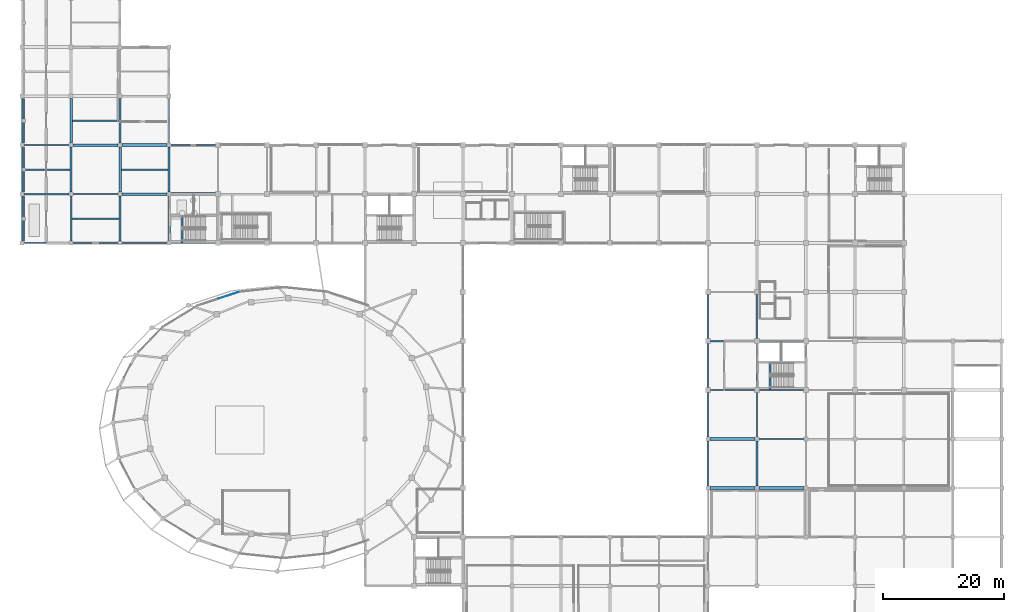
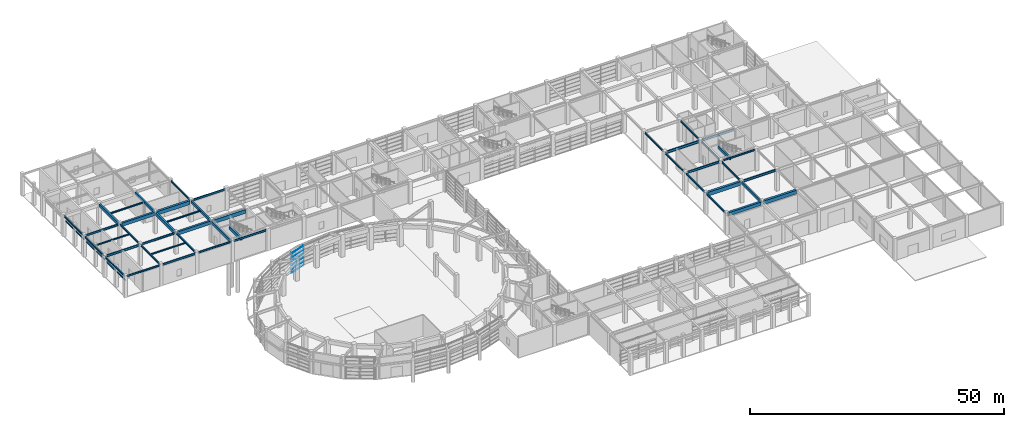
# One storey, part 16 of 52: 52 beams, 6 members, 1 element without a shape of its own.
"""IFC4 building model written with IfcOpenShell, lengths in metres."""

from ifc_helpers import new_model, si_unit, direction, frame, origin, origin_2d, place, context, subcontext, project, spatial, rectangle, i_section, extrude, material, material_profile, profile_set, type_object, element, aggregate, save


model = new_model("IFC4")

# Units and contexts
model_context = context("Model", 3, precision=1e-05, world=origin(), true_north=direction((0.0, 1.0)))
body_context = subcontext(model_context, "Body", "Model", "MODEL_VIEW")
ifc_project = project(units=[si_unit("LENGTHUNIT", "METRE"), si_unit("AREAUNIT", "SQUARE_METRE"), si_unit("VOLUMEUNIT", "CUBIC_METRE"), si_unit("PLANEANGLEUNIT", "RADIAN"), si_unit("MASSUNIT", "GRAM", prefix="KILO")], contexts=[model_context])

# Site, building, storey
site_placement = place(None, origin())
site = spatial("IfcSite", under=ifc_project, at=site_placement, CompositionType="ELEMENT")
building_placement = place(site_placement, origin())
building = spatial("IfcBuilding", under=site, at=building_placement, Name="Parian Resonance Hall", CompositionType="ELEMENT")
storey_placement = place(building_placement, origin())
storey = spatial("IfcBuildingStorey", under=building, at=storey_placement, Name="L00", CompositionType="ELEMENT", Elevation=0.0)

# Beams
ifc_material_1 = material(Name="Concrete C40/50", Category="concrete")
ifc_material_profile_1 = material_profile(ifc_material_1, rectangle(XDim=0.35009765625, YDim=0.60009765625, at=origin_2d()), Name="RC-BM-350x600")
ifc_profile_set_1 = profile_set([ifc_material_profile_1], Name="Concrete C40/50")
beam_type_1 = type_object("IfcBeamType", Name="BM-RC350x600", PredefinedType="BEAM", material=ifc_profile_set_1)
beam_1_placement = place(storey_placement, frame((16.199951171875, 89.449951171875, 4.800048828125), z_axis=(0.0, 1.0, 0.0), x_axis=(-1.0, 0.0, 0.0)))
element("IfcBeam", 1, at=beam_1_placement, inside=storey, type_object=beam_type_1, Name="GY-L00-0409", PredefinedType="BEAM", context=body_context, shape_type="SweptSolid", body=[
    extrude(rectangle(XDim=0.35009765625, YDim=0.60009765625, at=origin_2d()), origin(), (0.0, 0.0, 1.0), 7.400146484375),
])
for number, where, z_axis, x_axis, name in (
    (2, (24.300048828125, 81.35009765625, 4.800048828125), (0.0, 1.0, 0.0), (-1.0, 0.0, 0.0), "GY-L00-0413"),
    (3, (121.5, 32.75, 4.830078125), (0.0, 1.0, 0.0), (-1.0, 0.0, 0.0), "GY-L00-0466"),
):
    element("IfcBeam", number, at=place(storey_placement, frame(where, z_axis=z_axis, x_axis=x_axis)), inside=storey, type_object=beam_type_1, Name=name, PredefinedType="BEAM", context=body_context, shape_type="SweptSolid", body=[
        extrude(rectangle(XDim=0.35009765625, YDim=0.60009765625, at=origin_2d()), origin(), (0.0, 0.0, 1.0), 7.39990234375),
    ])
ifc_material_2 = material(Name="Concrete C40/50", Category="concrete")
ifc_material_profile_2 = material_profile(ifc_material_2, rectangle(XDim=0.39990234375, YDim=0.699951171875, at=origin_2d()), Name="RC-BM-400x700")
ifc_profile_set_2 = profile_set([ifc_material_profile_2], Name="Concrete C40/50")
beam_type_2 = type_object("IfcBeamType", Name="BM-RC400x700", PredefinedType="BEAM", material=ifc_profile_set_2)
beam_2_placement = place(storey_placement, frame((8.10009765625, 89.449951171875, 4.75), z_axis=(0.0, 1.0, 0.0), x_axis=(-1.0, 0.0, 0.0)))
element("IfcBeam", 4, at=beam_2_placement, inside=storey, type_object=beam_type_2, Name="GY-L00-0404", PredefinedType="BEAM", context=body_context, shape_type="SweptSolid", body=[
    extrude(rectangle(XDim=0.39990234375, YDim=0.699951171875, at=origin_2d()), origin(), (0.0, 0.0, 1.0), 7.400146484375),
])
for number, where, z_axis, x_axis, name in (
    (5, (16.199951171875, 81.35009765625, 4.75), (0.0, 1.0, 0.0), (-1.0, 0.0, 0.0), "GY-L00-0408"),
    (6, (24.300048828125, 73.25, 4.75), (0.0, 1.0, 0.0), (-1.0, 0.0, 0.0), "GY-L00-0412"),
):
    element("IfcBeam", number, at=place(storey_placement, frame(where, z_axis=z_axis, x_axis=x_axis)), inside=storey, type_object=beam_type_2, Name=name, PredefinedType="BEAM", context=body_context, shape_type="SweptSolid", body=[
        extrude(rectangle(XDim=0.39990234375, YDim=0.699951171875, at=origin_2d()), origin(), (0.0, 0.0, 1.0), 7.39990234375),
    ])
beam_3_placement = place(storey_placement, frame((123.659912109375, 48.60009765625, 4.780029296875), z_axis=(0.0, 1.0, 0.0), x_axis=(-1.0, 0.0, 0.0)))
element("IfcBeam", 7, at=beam_3_placement, inside=storey, type_object=beam_type_2, Name="Core K2 stair arrival trimmer beam L00", PredefinedType="BEAM", context=body_context, shape_type="SweptSolid", body=[
    extrude(rectangle(XDim=0.39990234375, YDim=0.699951171875, at=origin_2d()), origin(), (0.0, 0.0, 1.0), 4.64990234375),
])
beam_4_placement = place(storey_placement, frame((26.43994140625, 72.89990234375, 4.75), z_axis=(0.0, 1.0, 0.0), x_axis=(-1.0, 0.0, 0.0)))
element("IfcBeam", 8, at=beam_4_placement, inside=storey, type_object=beam_type_2, Name="Core K4 stair arrival trimmer beam L00", PredefinedType="BEAM", context=body_context, shape_type="SweptSolid", body=[
    extrude(rectangle(XDim=0.39990234375, YDim=0.699951171875, at=origin_2d()), origin(), (0.0, 0.0, 1.0), 4.610107421875),
])
ifc_material_3 = material(Name="Concrete C40/50", Category="concrete")
ifc_material_profile_3 = material_profile(ifc_material_3, rectangle(XDim=0.449951171875, YDim=0.800048828125, at=origin_2d()), Name="RC-BM-450x800")
ifc_profile_set_3 = profile_set([ifc_material_profile_3], Name="Concrete C40/50")
beam_type_3 = type_object("IfcBeamType", Name="BM-RC450x800", PredefinedType="USERDEFINED", material=ifc_profile_set_3)
beam_5_placement = place(storey_placement, frame((8.449951171875, 89.10009765625, 4.699951171875), z_axis=(1.0, 0.0, 0.0), x_axis=(0.0, 1.0, 0.0)))
element("IfcBeam", 9, at=beam_5_placement, inside=storey, type_object=beam_type_3, Name="GX-L00-0280", ObjectType="GIRDER", PredefinedType="USERDEFINED", context=body_context, shape_type="SweptSolid", body=[
    extrude(rectangle(XDim=0.449951171875, YDim=0.800048828125, at=origin_2d()), origin(), (0.0, 0.0, 1.0), 7.400146484375),
])
for number, where, z_axis, x_axis, name in (
    (10, (16.550048828125, 81.0, 4.699951171875), (1.0, 0.0, 0.0), (0.0, 1.0, 0.0), "GX-L00-0285"),
    (11, (113.75, 32.39990234375, 4.72998046875), (1.0, 0.0, 0.0), (0.0, 1.0, 0.0), "GX-L00-0346"),
):
    element("IfcBeam", number, at=place(storey_placement, frame(where, z_axis=z_axis, x_axis=x_axis)), inside=storey, type_object=beam_type_3, Name=name, ObjectType="GIRDER", PredefinedType="USERDEFINED", context=body_context, shape_type="SweptSolid", body=[
        extrude(rectangle(XDim=0.449951171875, YDim=0.800048828125, at=origin_2d()), origin(), (0.0, 0.0, 1.0), 7.39990234375),
    ])
ifc_material_4 = material(Name="Concrete C40/50", Category="concrete")
ifc_material_profile_4 = material_profile(ifc_material_4, rectangle(XDim=0.5, YDim=0.89990234375, at=origin_2d()), Name="RC-BM-500x900")
ifc_profile_set_4 = profile_set([ifc_material_profile_4], Name="Concrete C40/50")
beam_type_4 = type_object("IfcBeamType", Name="BM-RC500x900", PredefinedType="USERDEFINED", material=ifc_profile_set_4)
beam_6_placement = place(storey_placement, frame((16.550048828125, 89.10009765625, 4.64990234375), z_axis=(1.0, 0.0, 0.0), x_axis=(0.0, 1.0, 0.0)))
element("IfcBeam", 12, at=beam_6_placement, inside=storey, type_object=beam_type_4, Name="GX-L00-0286", ObjectType="GIRDER", PredefinedType="USERDEFINED", context=body_context, shape_type="SweptSolid", body=[
    extrude(rectangle(XDim=0.5, YDim=0.89990234375, at=origin_2d()), origin(), (0.0, 0.0, 1.0), 7.39990234375),
])
beam_7_placement = place(storey_placement, frame((24.64990234375, 81.0, 4.64990234375), z_axis=(1.0, 0.0, 0.0), x_axis=(0.0, 1.0, 0.0)))
element("IfcBeam", 13, at=beam_7_placement, inside=storey, type_object=beam_type_4, Name="GX-L00-0290", ObjectType="GIRDER", PredefinedType="USERDEFINED", context=body_context, shape_type="SweptSolid", body=[
    extrude(rectangle(XDim=0.5, YDim=0.89990234375, at=origin_2d()), origin(), (0.0, 0.0, 1.0), 7.35009765625),
])
for number, where, z_axis, x_axis, name in (
    (14, (113.75, 40.5, 4.679931640625), (1.0, 0.0, 0.0), (0.0, 1.0, 0.0), "GX-L00-0347"),
    (15, (121.85009765625, 32.39990234375, 4.719970703125), (1.0, 0.0, 0.0), (0.0, 1.0, 0.0), "GX-L00-0355"),
):
    element("IfcBeam", number, at=place(storey_placement, frame(where, z_axis=z_axis, x_axis=x_axis)), inside=storey, type_object=beam_type_4, Name=name, ObjectType="GIRDER", PredefinedType="USERDEFINED", context=body_context, shape_type="SweptSolid", body=[
        extrude(rectangle(XDim=0.5, YDim=0.89990234375, at=origin_2d()), origin(), (0.0, 0.0, 1.0), 7.39990234375),
    ])
ifc_material_5 = material(Name="Steel S355", Category="steel")
ifc_material_profile_5 = material_profile(ifc_material_5, i_section(OverallWidth=0.202880859375, OverallDepth=0.202880859375, WebThickness=0.007080078125, FlangeThickness=0.010986328125, FilletRadius=0.01025390625, at=origin_2d()), Name="W200x46")
ifc_profile_set_5 = profile_set([ifc_material_profile_5], Name="Steel S355")
beam_type_5 = type_object("IfcBeamType", Name="BM-W200x46", PredefinedType="LINTEL", material=ifc_profile_set_5)
for number, where, z_axis, x_axis, name in (
    (16, (0.300048828125, 73.25, 3.698486328125), (0.0, 1.0, 0.0), (-1.0, 0.0, 0.0), "LN-W-09A"),
    (17, (0.300048828125, 81.35009765625, 3.698486328125), (0.0, 1.0, 0.0), (-1.0, 0.0, 0.0), "LN-W-10A"),
):
    element("IfcBeam", number, at=place(storey_placement, frame(where, z_axis=z_axis, x_axis=x_axis)), inside=storey, type_object=beam_type_5, Name=name, PredefinedType="LINTEL", context=body_context, shape_type="SweptSolid", body=[
        extrude(i_section(OverallWidth=0.202880859375, OverallDepth=0.202880859375, WebThickness=0.007080078125, FlangeThickness=0.010986328125, FilletRadius=0.01025390625, at=origin_2d()), origin(), (0.0, 0.0, 1.0), 3.39990234375),
    ])
beam_8_placement = place(storey_placement, frame((0.300048828125, 89.449951171875, 3.698486328125), z_axis=(0.0, 1.0, 0.0), x_axis=(-1.0, 0.0, 0.0)))
element("IfcBeam", 18, at=beam_8_placement, inside=storey, type_object=beam_type_5, Name="LN-W-11A", PredefinedType="LINTEL", context=body_context, shape_type="SweptSolid", body=[
    extrude(i_section(OverallWidth=0.202880859375, OverallDepth=0.202880859375, WebThickness=0.007080078125, FlangeThickness=0.010986328125, FilletRadius=0.01025390625, at=origin_2d()), origin(), (0.0, 0.0, 1.0), 3.400146484375),
])
ifc_material_6 = material(Name="Steel S355", Category="steel")
ifc_material_profile_6 = material_profile(ifc_material_6, i_section(OverallWidth=0.202880859375, OverallDepth=0.251953125, WebThickness=0.008056640625, FlangeThickness=0.013427734375, FilletRadius=0.0126953125, at=origin_2d()), Name="W250x58")
ifc_profile_set_6 = profile_set([ifc_material_profile_6], Name="Steel S355")
beam_type_6 = type_object("IfcBeamType", Name="BM-W250x58", PredefinedType="LINTEL", material=ifc_profile_set_6)
for number, where, z_axis, x_axis, name in (
    (19, (0.300048828125, 77.25, 3.674072265625), (0.0, 1.0, 0.0), (-1.0, 0.0, 0.0), "LN-W-09B"),
    (20, (0.300048828125, 85.35009765625, 3.674072265625), (0.0, 1.0, 0.0), (-1.0, 0.0, 0.0), "LN-W-10B"),
):
    element("IfcBeam", number, at=place(storey_placement, frame(where, z_axis=z_axis, x_axis=x_axis)), inside=storey, type_object=beam_type_6, Name=name, PredefinedType="LINTEL", context=body_context, shape_type="SweptSolid", body=[
        extrude(i_section(OverallWidth=0.202880859375, OverallDepth=0.251953125, WebThickness=0.008056640625, FlangeThickness=0.013427734375, FilletRadius=0.0126953125, at=origin_2d()), origin(), (0.0, 0.0, 1.0), 3.39990234375),
    ])
beam_9_placement = place(storey_placement, frame((0.300048828125, 93.449951171875, 3.674072265625), z_axis=(0.0, 1.0, 0.0), x_axis=(-1.0, 0.0, 0.0)))
element("IfcBeam", 21, at=beam_9_placement, inside=storey, type_object=beam_type_6, Name="LN-W-11B", PredefinedType="LINTEL", context=body_context, shape_type="SweptSolid", body=[
    extrude(i_section(OverallWidth=0.202880859375, OverallDepth=0.251953125, WebThickness=0.008056640625, FlangeThickness=0.013427734375, FilletRadius=0.0126953125, at=origin_2d()), origin(), (0.0, 0.0, 1.0), 3.400146484375),
])
ifc_material_7 = material(Name="Steel S355", Category="steel")
ifc_material_profile_7 = material_profile(ifc_material_7, i_section(OverallWidth=0.25390625, OverallDepth=0.2529296875, WebThickness=0.008544921875, FlangeThickness=0.01416015625, FilletRadius=0.0126953125, at=origin_2d()), Name="W250x73")
ifc_profile_set_7 = profile_set([ifc_material_profile_7], Name="Steel S355")
beam_type_7 = type_object("IfcBeamType", Name="BM-W250x73", PredefinedType="JOIST", material=ifc_profile_set_7)
for number, where, z_axis, x_axis, name in (
    (22, (0.12744140625, 85.050048828125, 4.973388671875), (1.0, 0.0, 0.0), (0.0, 1.0, 0.0), "JS-L00-0513"),
    (23, (8.2275390625, 76.949951171875, 4.973388671875), (1.0, 0.0, 0.0), (0.0, 1.0, 0.0), "JS-L00-0515"),
):
    element("IfcBeam", number, at=place(storey_placement, frame(where, z_axis=z_axis, x_axis=x_axis)), inside=storey, type_object=beam_type_7, Name=name, PredefinedType="JOIST", context=body_context, shape_type="SweptSolid", body=[
        extrude(i_section(OverallWidth=0.25390625, OverallDepth=0.2529296875, WebThickness=0.008544921875, FlangeThickness=0.01416015625, FilletRadius=0.0126953125, at=origin_2d()), origin(), (0.0, 0.0, 1.0), 7.820068359375),
    ])
ifc_material_8 = material(Name="Steel S355", Category="steel")
ifc_material_profile_8 = material_profile(ifc_material_8, i_section(OverallWidth=0.25390625, OverallDepth=0.305908203125, WebThickness=0.0087890625, FlangeThickness=0.0146484375, FilletRadius=0.01513671875, at=origin_2d()), Name="W310x79")
ifc_profile_set_8 = profile_set([ifc_material_profile_8], Name="Steel S355")
beam_type_8 = type_object("IfcBeamType", Name="BM-W310x79", PredefinedType="JOIST", material=ifc_profile_set_8)
beam_10_placement = place(storey_placement, frame((8.300048828125, 93.14990234375, 4.947021484375), z_axis=(1.0, 0.0, 0.0), x_axis=(0.0, 1.0, 0.0)))
element("IfcBeam", 24, at=beam_10_placement, inside=storey, type_object=beam_type_8, Name="JS-L00-0516", PredefinedType="JOIST", context=body_context, shape_type="SweptSolid", body=[
    extrude(i_section(OverallWidth=0.25390625, OverallDepth=0.305908203125, WebThickness=0.0087890625, FlangeThickness=0.0146484375, FilletRadius=0.01513671875, at=origin_2d()), origin(), (0.0, 0.0, 1.0), 7.724853515625),
])
beam_11_placement = place(storey_placement, frame((16.39990234375, 85.050048828125, 4.947021484375), z_axis=(1.0, 0.0, 0.0), x_axis=(0.0, 1.0, 0.0)))
element("IfcBeam", 25, at=beam_11_placement, inside=storey, type_object=beam_type_8, Name="JS-L00-0518", PredefinedType="JOIST", context=body_context, shape_type="SweptSolid", body=[
    extrude(i_section(OverallWidth=0.25390625, OverallDepth=0.305908203125, WebThickness=0.0087890625, FlangeThickness=0.0146484375, FilletRadius=0.01513671875, at=origin_2d()), origin(), (0.0, 0.0, 1.0), 7.72509765625),
])
ifc_material_9 = material(Name="Steel S355", Category="steel")
ifc_material_profile_9 = material_profile(ifc_material_9, i_section(OverallWidth=0.304931640625, OverallDepth=0.30810546875, WebThickness=0.010009765625, FlangeThickness=0.015380859375, FilletRadius=0.01513671875, at=origin_2d()), Name="W310x97")
ifc_profile_set_9 = profile_set([ifc_material_profile_9], Name="Steel S355")
beam_type_9 = type_object("IfcBeamType", Name="BM-W310x97", PredefinedType="BEAM", material=ifc_profile_set_9)
for number, where, z_axis, x_axis, name in (
    (26, (8.10009765625, 81.35009765625, 4.946044921875), (0.0, 1.0, 0.0), (-1.0, 0.0, 0.0), "GY-L00-0403"),
    (27, (16.199951171875, 73.25, 4.946044921875), (0.0, 1.0, 0.0), (-1.0, 0.0, 0.0), "GY-L00-0407"),
):
    element("IfcBeam", number, at=place(storey_placement, frame(where, z_axis=z_axis, x_axis=x_axis)), inside=storey, type_object=beam_type_9, Name=name, PredefinedType="BEAM", context=body_context, shape_type="SweptSolid", body=[
        extrude(i_section(OverallWidth=0.304931640625, OverallDepth=0.30810546875, WebThickness=0.010009765625, FlangeThickness=0.015380859375, FilletRadius=0.01513671875, at=origin_2d()), origin(), (0.0, 0.0, 1.0), 7.39990234375),
    ])
ifc_material_10 = material(Name="Steel S355", Category="steel")
ifc_material_profile_10 = material_profile(ifc_material_10, i_section(OverallWidth=0.2548828125, OverallDepth=0.35693359375, WebThickness=0.010498046875, FlangeThickness=0.018310546875, FilletRadius=0.01513671875, at=origin_2d()), Name="W360x101")
ifc_profile_set_10 = profile_set([ifc_material_profile_10], Name="Steel S355")
beam_type_10 = type_object("IfcBeamType", Name="BM-W360x101", PredefinedType="SPANDREL", material=ifc_profile_set_10)
for number, where, z_axis, x_axis, name in (
    (28, (0.0, 73.25, 4.92138671875), (0.0, 1.0, 0.0), (-1.0, 0.0, 0.0), "GY-L00-0397"),
    (29, (0.0, 81.35009765625, 4.92138671875), (0.0, 1.0, 0.0), (-1.0, 0.0, 0.0), "GY-L00-0398"),
):
    element("IfcBeam", number, at=place(storey_placement, frame(where, z_axis=z_axis, x_axis=x_axis)), inside=storey, type_object=beam_type_10, Name=name, PredefinedType="SPANDREL", context=body_context, shape_type="SweptSolid", body=[
        extrude(i_section(OverallWidth=0.2548828125, OverallDepth=0.35693359375, WebThickness=0.010498046875, FlangeThickness=0.018310546875, FilletRadius=0.01513671875, at=origin_2d()), origin(), (0.0, 0.0, 1.0), 7.39990234375),
    ])
beam_12_placement = place(storey_placement, frame((0.0, 89.449951171875, 4.92138671875), z_axis=(0.0, 1.0, 0.0), x_axis=(-1.0, 0.0, 0.0)))
element("IfcBeam", 30, at=beam_12_placement, inside=storey, type_object=beam_type_10, Name="GY-L00-0399", PredefinedType="SPANDREL", context=body_context, shape_type="SweptSolid", body=[
    extrude(i_section(OverallWidth=0.2548828125, OverallDepth=0.35693359375, WebThickness=0.010498046875, FlangeThickness=0.018310546875, FilletRadius=0.01513671875, at=origin_2d()), origin(), (0.0, 0.0, 1.0), 7.400146484375),
])
beam_13_placement = place(storey_placement, frame((8.10009765625, 73.25, 4.92138671875), z_axis=(0.0, 1.0, 0.0), x_axis=(-1.0, 0.0, 0.0)))
element("IfcBeam", 31, at=beam_13_placement, inside=storey, type_object=beam_type_10, Name="GY-L00-0402", PredefinedType="SPANDREL", context=body_context, shape_type="SweptSolid", body=[
    extrude(i_section(OverallWidth=0.2548828125, OverallDepth=0.35693359375, WebThickness=0.010498046875, FlangeThickness=0.018310546875, FilletRadius=0.01513671875, at=origin_2d()), origin(), (0.0, 0.0, 1.0), 7.39990234375),
])
beam_14_placement = place(storey_placement, frame((24.300048828125, 89.449951171875, 4.92138671875), z_axis=(0.0, 1.0, 0.0), x_axis=(-1.0, 0.0, 0.0)))
element("IfcBeam", 32, at=beam_14_placement, inside=storey, type_object=beam_type_10, Name="GY-L00-0414", PredefinedType="SPANDREL", context=body_context, shape_type="SweptSolid", body=[
    extrude(i_section(OverallWidth=0.2548828125, OverallDepth=0.35693359375, WebThickness=0.010498046875, FlangeThickness=0.018310546875, FilletRadius=0.01513671875, at=origin_2d()), origin(), (0.0, 0.0, 1.0), 7.400146484375),
])
beam_15_placement = place(storey_placement, frame((113.39990234375, 32.75, 4.951416015625), z_axis=(0.0, 1.0, 0.0), x_axis=(-1.0, 0.0, 0.0)))
element("IfcBeam", 33, at=beam_15_placement, inside=storey, type_object=beam_type_10, Name="GY-L00-0457", PredefinedType="SPANDREL", context=body_context, shape_type="SweptSolid", body=[
    extrude(i_section(OverallWidth=0.2548828125, OverallDepth=0.35693359375, WebThickness=0.010498046875, FlangeThickness=0.018310546875, FilletRadius=0.01513671875, at=origin_2d()), origin(), (0.0, 0.0, 1.0), 7.39990234375),
])
beam_16_placement = place(storey_placement, frame((113.39990234375, 40.85009765625, 4.951416015625), z_axis=(0.0, 1.0, 0.0), x_axis=(-1.0, 0.0, 0.0)))
element("IfcBeam", 34, at=beam_16_placement, inside=storey, type_object=beam_type_10, Name="GY-L00-0458", PredefinedType="SPANDREL", context=body_context, shape_type="SweptSolid", body=[
    extrude(i_section(OverallWidth=0.2548828125, OverallDepth=0.35693359375, WebThickness=0.010498046875, FlangeThickness=0.018310546875, FilletRadius=0.01513671875, at=origin_2d()), origin(), (0.0, 0.0, 1.0), 7.349853515625),
])
beam_17_placement = place(storey_placement, frame((113.39990234375, 49.0, 4.951416015625), z_axis=(0.0, 1.0, 0.0), x_axis=(-1.0, 0.0, 0.0)))
element("IfcBeam", 35, at=beam_17_placement, inside=storey, type_object=beam_type_10, Name="GY-L00-0459", PredefinedType="SPANDREL", context=body_context, shape_type="SweptSolid", body=[
    extrude(i_section(OverallWidth=0.2548828125, OverallDepth=0.35693359375, WebThickness=0.010498046875, FlangeThickness=0.018310546875, FilletRadius=0.01513671875, at=origin_2d()), origin(), (0.0, 0.0, 1.0), 7.300048828125),
])
for number, where, z_axis, x_axis, name in (
    (36, (113.39990234375, 57.10009765625, 4.951416015625), (0.0, 1.0, 0.0), (-1.0, 0.0, 0.0), "GY-L00-0460"),
    (37, (121.5, 57.10009765625, 4.951416015625), (0.0, 1.0, 0.0), (-1.0, 0.0, 0.0), "GY-L00-0469"),
):
    element("IfcBeam", number, at=place(storey_placement, frame(where, z_axis=z_axis, x_axis=x_axis)), inside=storey, type_object=beam_type_10, Name=name, PredefinedType="SPANDREL", context=body_context, shape_type="SweptSolid", body=[
        extrude(i_section(OverallWidth=0.2548828125, OverallDepth=0.35693359375, WebThickness=0.010498046875, FlangeThickness=0.018310546875, FilletRadius=0.01513671875, at=origin_2d()), origin(), (0.0, 0.0, 1.0), 7.2998046875),
    ])
ifc_material_11 = material(Name="Steel S355", Category="steel")
ifc_material_profile_11 = material_profile(ifc_material_11, i_section(OverallWidth=0.180908203125, OverallDepth=0.4169921875, WebThickness=0.010986328125, FlangeThickness=0.018310546875, FilletRadius=0.01513671875, at=origin_2d()), Name="W410x85")
ifc_profile_set_11 = profile_set([ifc_material_profile_11], Name="Steel S355")
beam_type_11 = type_object("IfcBeamType", Name="BM-W410x85", PredefinedType="SPANDREL", material=ifc_profile_set_11)
for number, where, z_axis, x_axis, name in (
    (38, (0.35009765625, 72.89990234375, 4.8916015625), (1.0, 0.0, 0.0), (0.0, 1.0, 0.0), "GX-L00-0272"),
    (39, (16.550048828125, 72.89990234375, 4.8916015625), (1.0, 0.0, 0.0), (0.0, 1.0, 0.0), "GX-L00-0284"),
):
    element("IfcBeam", number, at=place(storey_placement, frame(where, z_axis=z_axis, x_axis=x_axis)), inside=storey, type_object=beam_type_11, Name=name, PredefinedType="SPANDREL", context=body_context, shape_type="SweptSolid", body=[
        extrude(i_section(OverallWidth=0.180908203125, OverallDepth=0.4169921875, WebThickness=0.010986328125, FlangeThickness=0.018310546875, FilletRadius=0.01513671875, at=origin_2d()), origin(), (0.0, 0.0, 1.0), 7.39990234375),
    ])
for number, where, z_axis, x_axis, name in (
    (40, (121.89990234375, 48.60009765625, 4.92138671875), (1.0, 0.0, 0.0), (0.0, 1.0, 0.0), "GX-L00-0357"),
    (41, (121.5, 49.0, 4.92138671875), (0.0, 1.0, 0.0), (-1.0, 0.0, 0.0), "GY-L00-0468"),
):
    element("IfcBeam", number, at=place(storey_placement, frame(where, z_axis=z_axis, x_axis=x_axis)), inside=storey, type_object=beam_type_11, Name=name, PredefinedType="SPANDREL", context=body_context, shape_type="SweptSolid", body=[
        extrude(i_section(OverallWidth=0.180908203125, OverallDepth=0.4169921875, WebThickness=0.010986328125, FlangeThickness=0.018310546875, FilletRadius=0.01513671875, at=origin_2d()), origin(), (0.0, 0.0, 1.0), 7.300048828125),
    ])
ifc_material_12 = material(Name="Steel S355", Category="steel")
ifc_material_profile_12 = material_profile(ifc_material_12, i_section(OverallWidth=0.194091796875, OverallDepth=0.468994140625, WebThickness=0.0126953125, FlangeThickness=0.0205078125, FilletRadius=0.01513671875, at=origin_2d()), Name="W460x106")
ifc_profile_set_12 = profile_set([ifc_material_profile_12], Name="Steel S355")
beam_type_12 = type_object("IfcBeamType", Name="BM-W460x106", PredefinedType="SPANDREL", material=ifc_profile_set_12)
beam_18_placement = place(storey_placement, frame((8.449951171875, 72.89990234375, 4.865478515625), z_axis=(1.0, 0.0, 0.0), x_axis=(0.0, 1.0, 0.0)))
element("IfcBeam", 42, at=beam_18_placement, inside=storey, type_object=beam_type_12, Name="GX-L00-0278", PredefinedType="SPANDREL", context=body_context, shape_type="SweptSolid", body=[
    extrude(i_section(OverallWidth=0.194091796875, OverallDepth=0.468994140625, WebThickness=0.0126953125, FlangeThickness=0.0205078125, FilletRadius=0.01513671875, at=origin_2d()), origin(), (0.0, 0.0, 1.0), 7.400146484375),
])
for number, where, z_axis, x_axis, name in (
    (43, (24.64990234375, 72.89990234375, 4.865478515625), (1.0, 0.0, 0.0), (0.0, 1.0, 0.0), "GX-L00-0289"),
    (44, (24.64990234375, 89.10009765625, 4.865478515625), (1.0, 0.0, 0.0), (0.0, 1.0, 0.0), "GX-L00-0291"),
):
    element("IfcBeam", number, at=place(storey_placement, frame(where, z_axis=z_axis, x_axis=x_axis)), inside=storey, type_object=beam_type_12, Name=name, PredefinedType="SPANDREL", context=body_context, shape_type="SweptSolid", body=[
        extrude(i_section(OverallWidth=0.194091796875, OverallDepth=0.468994140625, WebThickness=0.0126953125, FlangeThickness=0.0205078125, FilletRadius=0.01513671875, at=origin_2d()), origin(), (0.0, 0.0, 1.0), 7.35009765625),
    ])
beam_19_placement = place(storey_placement, frame((121.5, 40.85009765625, 4.8955078125), z_axis=(0.0, 1.0, 0.0), x_axis=(-1.0, 0.0, 0.0)))
element("IfcBeam", 45, at=beam_19_placement, inside=storey, type_object=beam_type_12, Name="GY-L00-0467", PredefinedType="SPANDREL", context=body_context, shape_type="SweptSolid", body=[
    extrude(i_section(OverallWidth=0.194091796875, OverallDepth=0.468994140625, WebThickness=0.0126953125, FlangeThickness=0.0205078125, FilletRadius=0.01513671875, at=origin_2d()), origin(), (0.0, 0.0, 1.0), 7.349853515625),
])
ifc_material_13 = material(Name="Steel S355", Category="steel")
ifc_material_profile_13 = material_profile(ifc_material_13, i_section(OverallWidth=0.19091796875, OverallDepth=0.4599609375, WebThickness=0.010009765625, FlangeThickness=0.01611328125, FilletRadius=0.01513671875, at=origin_2d()), Name="W460x82")
ifc_profile_set_13 = profile_set([ifc_material_profile_13], Name="Steel S355")
beam_type_13 = type_object("IfcBeamType", Name="BM-W460x82", PredefinedType="BEAM", material=ifc_profile_set_13)
beam_20_placement = place(storey_placement, frame((0.35009765625, 89.10009765625, 4.8701171875), z_axis=(1.0, 0.0, 0.0), x_axis=(0.0, 1.0, 0.0)))
element("IfcBeam", 46, at=beam_20_placement, inside=storey, type_object=beam_type_13, Name="GX-L00-0274", PredefinedType="BEAM", context=body_context, shape_type="SweptSolid", body=[
    extrude(i_section(OverallWidth=0.19091796875, OverallDepth=0.4599609375, WebThickness=0.010009765625, FlangeThickness=0.01611328125, FilletRadius=0.01513671875, at=origin_2d()), origin(), (0.0, 0.0, 1.0), 7.39990234375),
])
beam_21_placement = place(storey_placement, frame((8.449951171875, 81.0, 4.8701171875), z_axis=(1.0, 0.0, 0.0), x_axis=(0.0, 1.0, 0.0)))
element("IfcBeam", 47, at=beam_21_placement, inside=storey, type_object=beam_type_13, Name="GX-L00-0279", PredefinedType="BEAM", context=body_context, shape_type="SweptSolid", body=[
    extrude(i_section(OverallWidth=0.19091796875, OverallDepth=0.4599609375, WebThickness=0.010009765625, FlangeThickness=0.01611328125, FilletRadius=0.01513671875, at=origin_2d()), origin(), (0.0, 0.0, 1.0), 7.400146484375),
])
ifc_material_14 = material(Name="Steel S355", Category="steel")
ifc_material_profile_14 = material_profile(ifc_material_14, i_section(OverallWidth=0.2119140625, OverallDepth=0.5439453125, WebThickness=0.01318359375, FlangeThickness=0.021240234375, FilletRadius=0.017822265625, at=origin_2d()), Name="W530x123")
ifc_profile_set_14 = profile_set([ifc_material_profile_14], Name="Steel S355")
beam_type_14 = type_object("IfcBeamType", Name="BM-W530x123", PredefinedType="USERDEFINED", material=ifc_profile_set_14)
beam_22_placement = place(storey_placement, frame((113.800048828125, 48.60009765625, 4.85791015625), z_axis=(1.0, 0.0, 0.0), x_axis=(0.0, 1.0, 0.0)))
element("IfcBeam", 48, at=beam_22_placement, inside=storey, type_object=beam_type_14, Name="GX-L00-0348", ObjectType="GIRDER", PredefinedType="USERDEFINED", context=body_context, shape_type="SweptSolid", body=[
    extrude(i_section(OverallWidth=0.2119140625, OverallDepth=0.5439453125, WebThickness=0.01318359375, FlangeThickness=0.021240234375, FilletRadius=0.017822265625, at=origin_2d()), origin(), (0.0, 0.0, 1.0), 7.300048828125),
])
beam_23_placement = place(storey_placement, frame((121.85009765625, 40.5, 4.89794921875), z_axis=(1.0, 0.0, 0.0), x_axis=(0.0, 1.0, 0.0)))
element("IfcBeam", 49, at=beam_23_placement, inside=storey, type_object=beam_type_14, Name="GX-L00-0356", ObjectType="GIRDER", PredefinedType="USERDEFINED", context=body_context, shape_type="SweptSolid", body=[
    extrude(i_section(OverallWidth=0.2119140625, OverallDepth=0.5439453125, WebThickness=0.01318359375, FlangeThickness=0.021240234375, FilletRadius=0.017822265625, at=origin_2d()), origin(), (0.0, 0.0, 1.0), 7.39990234375),
])
ifc_material_15 = material(Name="Steel S355", Category="steel")
ifc_material_profile_15 = material_profile(ifc_material_15, i_section(OverallWidth=0.208984375, OverallDepth=0.532958984375, WebThickness=0.01025390625, FlangeThickness=0.015625, FilletRadius=0.017822265625, at=origin_2d()), Name="W530x92")
ifc_profile_set_15 = profile_set([ifc_material_profile_15], Name="Steel S355")
beam_type_15 = type_object("IfcBeamType", Name="BM-W530x92", PredefinedType="BEAM", material=ifc_profile_set_15)
beam_24_placement = place(storey_placement, frame((0.35009765625, 81.0, 4.83349609375), z_axis=(1.0, 0.0, 0.0), x_axis=(0.0, 1.0, 0.0)))
element("IfcBeam", 50, at=beam_24_placement, inside=storey, type_object=beam_type_15, Name="GX-L00-0273", PredefinedType="BEAM", context=body_context, shape_type="SweptSolid", body=[
    extrude(i_section(OverallWidth=0.208984375, OverallDepth=0.532958984375, WebThickness=0.01025390625, FlangeThickness=0.015625, FilletRadius=0.017822265625, at=origin_2d()), origin(), (0.0, 0.0, 1.0), 7.39990234375),
])
beam_25_placement = place(storey_placement, frame((121.89990234375, 56.699951171875, 4.863525390625), z_axis=(1.0, 0.0, 0.0), x_axis=(0.0, 1.0, 0.0)))
element("IfcBeam", 51, at=beam_25_placement, inside=storey, type_object=beam_type_15, Name="GX-L00-0358", PredefinedType="BEAM", context=body_context, shape_type="SweptSolid", body=[
    extrude(i_section(OverallWidth=0.208984375, OverallDepth=0.532958984375, WebThickness=0.01025390625, FlangeThickness=0.015625, FilletRadius=0.017822265625, at=origin_2d()), origin(), (0.0, 0.0, 1.0), 7.300048828125),
])
ifc_material_16 = material(Name="Steel S355", Category="steel")
ifc_material_profile_16 = material_profile(ifc_material_16, i_section(OverallWidth=0.22802734375, OverallDepth=0.60791015625, WebThickness=0.01123046875, FlangeThickness=0.017333984375, FilletRadius=0.017822265625, at=origin_2d()), Name="W610x113")
ifc_profile_set_16 = profile_set([ifc_material_profile_16], Name="Steel S355")
beam_type_16 = type_object("IfcBeamType", Name="BM-W610x113", PredefinedType="USERDEFINED", material=ifc_profile_set_16)
beam_26_placement = place(storey_placement, frame((113.800048828125, 56.699951171875, 4.825927734375), z_axis=(1.0, 0.0, 0.0), x_axis=(0.0, 1.0, 0.0)))
element("IfcBeam", 52, at=beam_26_placement, inside=storey, type_object=beam_type_16, Name="GX-L00-0349", ObjectType="GIRDER", PredefinedType="USERDEFINED", context=body_context, shape_type="SweptSolid", body=[
    extrude(i_section(OverallWidth=0.22802734375, OverallDepth=0.60791015625, WebThickness=0.01123046875, FlangeThickness=0.017333984375, FilletRadius=0.017822265625, at=origin_2d()), origin(), (0.0, 0.0, 1.0), 7.300048828125),
])

# Curtain wall, members
ifc_material_17 = material(Name="Bronze-anodised aluminium frame", Category="aluminium")
curtain_wall_type = type_object("IfcCurtainWallType", Name="CW-SYS-02", PredefinedType="NOTDEFINED", material=ifc_material_17)
curtain_wall_placement = place(storey_placement, origin())
curtain_wall = element("IfcCurtainWall", 53, at=curtain_wall_placement, inside=storey, type_object=curtain_wall_type, Name="Grand foyer recessed base curtain wall 08", PredefinedType="NOTDEFINED")
ifc_material_18 = material(Name="Bronze-anodised aluminium frame", Category="aluminium")
ifc_material_profile_17 = material_profile(ifc_material_18, rectangle(XDim=0.074951171875, YDim=0.14990234375, at=origin_2d()), Name="CWT-75x150")
ifc_profile_set_17 = profile_set([ifc_material_profile_17], Name="Bronze-anodised aluminium frame")
member_type = type_object("IfcMemberType", Name="CWT-75x150", PredefinedType="USERDEFINED", material=ifc_profile_set_17)
member_1_placement = place(storey_placement, frame((32.536376953125, 63.7294921875, 0.029541015625), z_axis=(0.94990131238, 0.312549990783, 0.0), x_axis=(-0.312549990783, 0.94990131238, 0.0)))
member_1 = element("IfcMember", 54, at=member_1_placement, type_object=member_type, Name="CW-02 transom 2.1", ObjectType="TRANSOM", PredefinedType="USERDEFINED", context=body_context, shape_type="SweptSolid", body=[
    extrude(rectangle(XDim=0.074951171875, YDim=0.14990234375, at=origin_2d()), origin(), (0.0, 0.0, 1.0), 3.467529296875),
])
member_2_placement = place(storey_placement, frame((32.536376953125, 63.7294921875, 0.94140625), z_axis=(0.94990131238, 0.312549990783, 0.0), x_axis=(-0.312549990783, 0.94990131238, 0.0)))
member_2 = element("IfcMember", 55, at=member_2_placement, type_object=member_type, Name="CW-02 transom 2.2", ObjectType="TRANSOM", PredefinedType="USERDEFINED", context=body_context, shape_type="SweptSolid", body=[
    extrude(rectangle(XDim=0.074951171875, YDim=0.14990234375, at=origin_2d()), origin(), (0.0, 0.0, 1.0), 3.467529296875),
])
member_3_placement = place(storey_placement, frame((32.536376953125, 63.7294921875, 1.8828125), z_axis=(0.94990131238, 0.312549990783, 0.0), x_axis=(-0.312549990783, 0.94990131238, 0.0)))
member_3 = element("IfcMember", 56, at=member_3_placement, type_object=member_type, Name="CW-02 transom 2.3", ObjectType="TRANSOM", PredefinedType="USERDEFINED", context=body_context, shape_type="SweptSolid", body=[
    extrude(rectangle(XDim=0.074951171875, YDim=0.14990234375, at=origin_2d()), origin(), (0.0, 0.0, 1.0), 3.467529296875),
])
member_4_placement = place(storey_placement, frame((32.536376953125, 63.7294921875, 2.82421875), z_axis=(0.94990131238, 0.312549990783, 0.0), x_axis=(-0.312549990783, 0.94990131238, 0.0)))
member_4 = element("IfcMember", 57, at=member_4_placement, type_object=member_type, Name="CW-02 transom 2.4", ObjectType="TRANSOM", PredefinedType="USERDEFINED", context=body_context, shape_type="SweptSolid", body=[
    extrude(rectangle(XDim=0.074951171875, YDim=0.14990234375, at=origin_2d()), origin(), (0.0, 0.0, 1.0), 3.467529296875),
])
member_5_placement = place(storey_placement, frame((32.536376953125, 63.7294921875, 3.765625), z_axis=(0.94990131238, 0.312549990783, 0.0), x_axis=(-0.312549990783, 0.94990131238, 0.0)))
member_5 = element("IfcMember", 58, at=member_5_placement, type_object=member_type, Name="CW-02 transom 2.5", ObjectType="TRANSOM", PredefinedType="USERDEFINED", context=body_context, shape_type="SweptSolid", body=[
    extrude(rectangle(XDim=0.074951171875, YDim=0.14990234375, at=origin_2d()), origin(), (0.0, 0.0, 1.0), 3.467529296875),
])
member_6_placement = place(storey_placement, frame((32.536376953125, 63.7294921875, 4.679443359375), z_axis=(0.94990131238, 0.312549990783, 0.0), x_axis=(-0.312549990783, 0.94990131238, 0.0)))
member_6 = element("IfcMember", 59, at=member_6_placement, type_object=member_type, Name="CW-02 transom 2.6", ObjectType="TRANSOM", PredefinedType="USERDEFINED", context=body_context, shape_type="SweptSolid", body=[
    extrude(rectangle(XDim=0.074951171875, YDim=0.14990234375, at=origin_2d()), origin(), (0.0, 0.0, 1.0), 3.467529296875),
])
aggregate(curtain_wall, [member_1, member_2, member_3, member_4, member_5, member_6])

save(model, "model.ifc")
